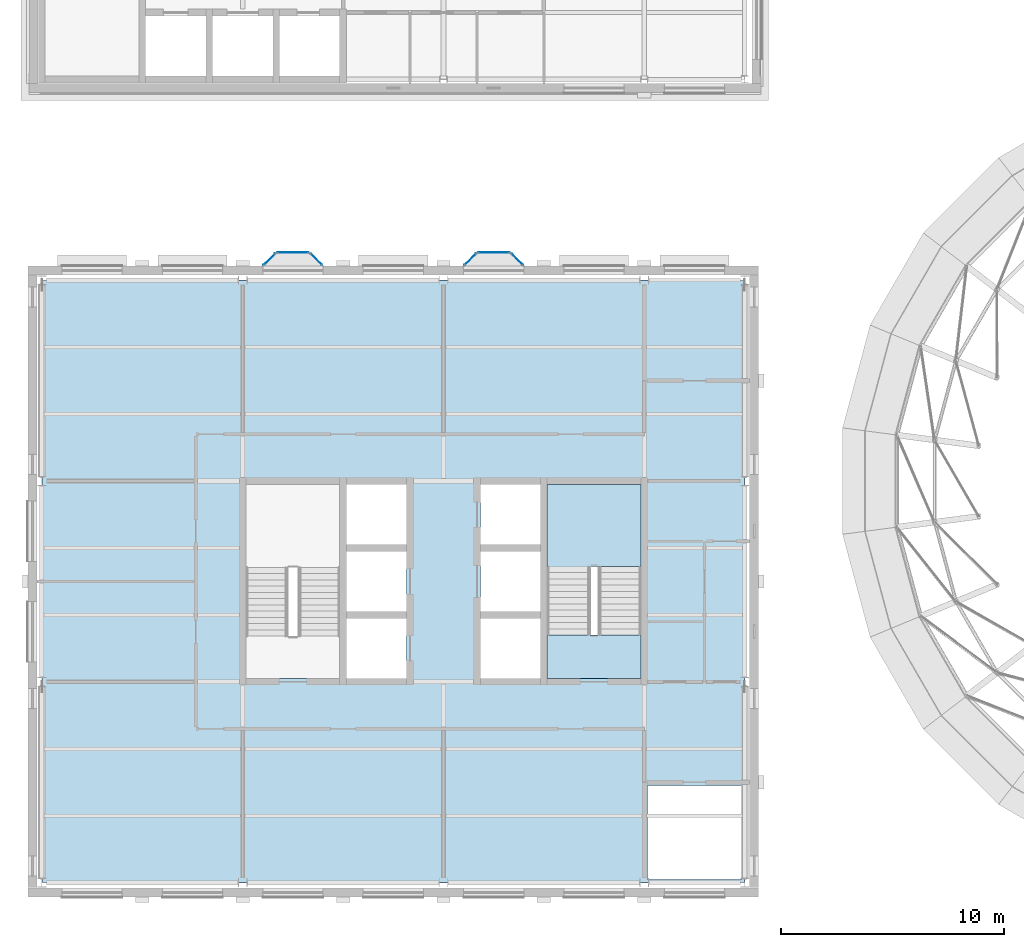
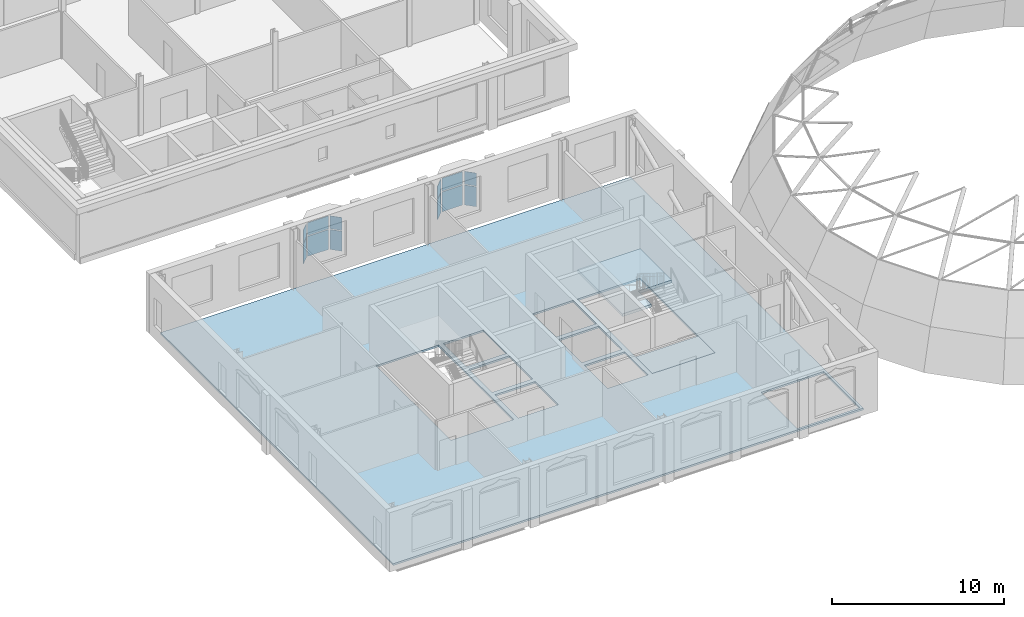
# One storey, part 27 of 62: 12 plates, 3 slabs, 7 elements without a shape of their own.
"""IFC4 building model written with IfcOpenShell, lengths in metres."""

from ifc_helpers import new_model, si_unit, direction, frame, origin, origin_2d, place, context, subcontext, project, spatial, polyline, rectangle, outline, extrude, material, layer, layer_set, type_object, element, aggregate, save


model = new_model("IFC4")

# Units and contexts
model_context = context("Model", 3, precision=1e-05, world=origin(), true_north=direction((0.0, 1.0)))
body_context = subcontext(model_context, "Body", "Model", "MODEL_VIEW")
ifc_project = project(units=[si_unit("LENGTHUNIT", "METRE"), si_unit("AREAUNIT", "SQUARE_METRE"), si_unit("VOLUMEUNIT", "CUBIC_METRE"), si_unit("PLANEANGLEUNIT", "RADIAN"), si_unit("MASSUNIT", "GRAM", prefix="KILO")], contexts=[model_context])

# Site, building, storey
site_placement = place(None, origin())
site = spatial("IfcSite", under=ifc_project, at=site_placement, CompositionType="ELEMENT")
building_placement = place(site_placement, origin())
building = spatial("IfcBuilding", under=site, at=building_placement, Name="Hortulan Conservatory and Botanical Research Centre", CompositionType="ELEMENT")
storey_placement = place(building_placement, frame((0.0, 0.0, 15.0)))
storey = spatial("IfcBuildingStorey", under=building, at=storey_placement, Name="L03", CompositionType="ELEMENT", Elevation=15.0)

# Slab
ifc_material_1 = material(Name="Concrete N32 (32 MPa, AS 3600)", Category="concrete")
ifc_layer_1 = layer(ifc_material_1, 0.1298828125)
ifc_layer_set_1 = layer_set([ifc_layer_1], Name="Composite Floor Slab 130")
slab_type_1 = type_object("IfcSlabType", Name="Composite Floor Slab 130", PredefinedType="FLOOR", material=ifc_layer_set_1)
slab_1_placement = place(storey_placement, frame((0.0, 0.0, -0.1298828125)))
element("IfcSlab", 1, at=slab_1_placement, inside=storey, type_object=slab_type_1, Name="Floor slab", PredefinedType="FLOOR", context=body_context, shape_type="SweptSolid", body=[
    extrude(outline(polyline([(0.0, 0.0), (31.5, 0.0), (31.5, 27.0), (0.0, 27.0), (0.0, 0.0)]), holes=[polyline([(27.14990234375, 4.35009765625), (27.14990234375, 0.14990234375), (31.35009765625, 0.14990234375), (31.35009765625, 4.35009765625), (27.14990234375, 4.35009765625)]), polyline([(13.64990234375, 11.85009765625), (13.64990234375, 9.14990234375), (16.35009765625, 9.14990234375), (16.35009765625, 11.85009765625), (13.64990234375, 11.85009765625)]), polyline([(19.64990234375, 11.85009765625), (19.64990234375, 9.14990234375), (22.35009765625, 9.14990234375), (22.35009765625, 11.85009765625), (19.64990234375, 11.85009765625)]), polyline([(9.14990234375, 17.85009765625), (9.14990234375, 9.14990234375), (13.35009765625, 9.14990234375), (13.35009765625, 17.85009765625), (9.14990234375, 17.85009765625)]), polyline([(13.64990234375, 14.85009765625), (13.64990234375, 12.14990234375), (16.35009765625, 12.14990234375), (16.35009765625, 14.85009765625), (13.64990234375, 14.85009765625)]), polyline([(19.64990234375, 14.85009765625), (19.64990234375, 12.14990234375), (22.35009765625, 12.14990234375), (22.35009765625, 14.85009765625), (19.64990234375, 14.85009765625)]), polyline([(22.64990234375, 17.85009765625), (22.64990234375, 9.14990234375), (26.85009765625, 9.14990234375), (26.85009765625, 17.85009765625), (22.64990234375, 17.85009765625)]), polyline([(16.35009765625, 17.85009765625), (13.64990234375, 17.85009765625), (13.64990234375, 15.14990234375), (16.35009765625, 15.14990234375), (16.35009765625, 17.85009765625)]), polyline([(22.35009765625, 17.85009765625), (19.64990234375, 17.85009765625), (19.64990234375, 15.14990234375), (22.35009765625, 15.14990234375), (22.35009765625, 17.85009765625)])]), origin(), (0.0, 0.0, 1.0), 0.1298828125),
])

# Curtain wall, plates
ifc_material_2 = material(Name="Bronze-finished aluminium", Category="aluminium")
ifc_layer_2 = layer(ifc_material_2, 0.10009765625)
ifc_layer_set_2 = layer_set([ifc_layer_2], Name="Oriel Curtain Wall 1350 module")
curtain_wall_type = type_object("IfcCurtainWallType", Name="Oriel Curtain Wall 1350 module", PredefinedType="NOTDEFINED", material=ifc_layer_set_2)
curtain_wall_1_placement = place(storey_placement, origin())
curtain_wall_1 = element("IfcCurtainWall", 2, at=curtain_wall_1_placement, inside=storey, type_object=curtain_wall_type, Name="Oriel glazing", PredefinedType="NOTDEFINED")
ifc_material_3 = material(Name="Low-e laminated glass", Category="glass")
ifc_layer_3 = layer(ifc_material_3, 0.028076171875)
ifc_layer_set_3 = layer_set([ifc_layer_3], Name="Laminated Glass Panel 28")
plate_type = type_object("IfcPlateType", Name="Laminated Glass Panel 28", PredefinedType="CURTAIN_PANEL", material=ifc_layer_set_3)
plate_1_placement = place(storey_placement, frame((10.199951171875, 27.93603515625, 0.9599609375), z_axis=(0.0, 0.0, 1.0), x_axis=(0.707106781187, 0.707106781187, 0.0)))
plate_1 = element("IfcPlate", 3, at=plate_1_placement, type_object=plate_type, Name="CW2 panel 1.1", PredefinedType="CURTAIN_PANEL", context=body_context, shape_type="SweptSolid", body=[
    extrude(rectangle(XDim=0.728515625, YDim=0.028076171875, at=origin_2d()), origin(), (0.0, 0.0, 1.0), 1.409912109375),
])
plate_2_placement = place(storey_placement, frame((10.199951171875, 27.93603515625, 2.43017578125), z_axis=(0.0, 0.0, 1.0), x_axis=(0.707106781187, 0.707106781187, 0.0)))
plate_2 = element("IfcPlate", 4, at=plate_2_placement, type_object=plate_type, Name="CW2 panel 1.2", PredefinedType="CURTAIN_PANEL", context=body_context, shape_type="SweptSolid", body=[
    extrude(rectangle(XDim=0.728515625, YDim=0.028076171875, at=origin_2d()), origin(), (0.0, 0.0, 1.0), 0.909912109375),
])
aggregate(curtain_wall_1, [plate_1, plate_2])

curtain_wall_2_placement = place(storey_placement, origin())
curtain_wall_2 = element("IfcCurtainWall", 5, at=curtain_wall_2_placement, inside=storey, type_object=curtain_wall_type, Name="Oriel glazing", PredefinedType="NOTDEFINED")
plate_3_placement = place(storey_placement, frame((11.25, 28.236083984375, 0.9599609375), z_axis=(0.0, 0.0, 1.0), x_axis=(1.0, 0.0, 0.0)))
plate_3 = element("IfcPlate", 6, at=plate_3_placement, type_object=plate_type, Name="CW2 panel 1.1", PredefinedType="CURTAIN_PANEL", context=body_context, shape_type="SweptSolid", body=[
    extrude(rectangle(XDim=1.3798828125, YDim=0.028076171875, at=origin_2d()), origin(), (0.0, 0.0, 1.0), 1.409912109375),
])
plate_4_placement = place(storey_placement, frame((11.25, 28.236083984375, 2.43017578125), z_axis=(0.0, 0.0, 1.0), x_axis=(1.0, 0.0, 0.0)))
plate_4 = element("IfcPlate", 7, at=plate_4_placement, type_object=plate_type, Name="CW2 panel 1.2", PredefinedType="CURTAIN_PANEL", context=body_context, shape_type="SweptSolid", body=[
    extrude(rectangle(XDim=1.3798828125, YDim=0.028076171875, at=origin_2d()), origin(), (0.0, 0.0, 1.0), 0.909912109375),
])
aggregate(curtain_wall_2, [plate_3, plate_4])

curtain_wall_3_placement = place(storey_placement, origin())
curtain_wall_3 = element("IfcCurtainWall", 8, at=curtain_wall_3_placement, inside=storey, type_object=curtain_wall_type, Name="Oriel glazing", PredefinedType="NOTDEFINED")
plate_5_placement = place(storey_placement, frame((12.300048828125, 27.93603515625, 0.9599609375), z_axis=(0.0, 0.0, 1.0), x_axis=(0.707106781187, -0.707106781187, 0.0)))
plate_5 = element("IfcPlate", 9, at=plate_5_placement, type_object=plate_type, Name="CW2 panel 1.1", PredefinedType="CURTAIN_PANEL", context=body_context, shape_type="SweptSolid", body=[
    extrude(rectangle(XDim=0.728515625, YDim=0.028076171875, at=origin_2d()), origin(), (0.0, 0.0, 1.0), 1.409912109375),
])
plate_6_placement = place(storey_placement, frame((12.300048828125, 27.93603515625, 2.43017578125), z_axis=(0.0, 0.0, 1.0), x_axis=(0.707106781187, -0.707106781187, 0.0)))
plate_6 = element("IfcPlate", 10, at=plate_6_placement, type_object=plate_type, Name="CW2 panel 1.2", PredefinedType="CURTAIN_PANEL", context=body_context, shape_type="SweptSolid", body=[
    extrude(rectangle(XDim=0.728515625, YDim=0.028076171875, at=origin_2d()), origin(), (0.0, 0.0, 1.0), 0.909912109375),
])
aggregate(curtain_wall_3, [plate_5, plate_6])

curtain_wall_4_placement = place(storey_placement, origin())
curtain_wall_4 = element("IfcCurtainWall", 11, at=curtain_wall_4_placement, inside=storey, type_object=curtain_wall_type, Name="Oriel glazing", PredefinedType="NOTDEFINED")
plate_7_placement = place(storey_placement, frame((19.199951171875, 27.93603515625, 0.9599609375), z_axis=(0.0, 0.0, 1.0), x_axis=(0.707106781187, 0.707106781187, 0.0)))
plate_7 = element("IfcPlate", 12, at=plate_7_placement, type_object=plate_type, Name="CW2 panel 1.1", PredefinedType="CURTAIN_PANEL", context=body_context, shape_type="SweptSolid", body=[
    extrude(rectangle(XDim=0.728515625, YDim=0.028076171875, at=origin_2d()), origin(), (0.0, 0.0, 1.0), 1.409912109375),
])
plate_8_placement = place(storey_placement, frame((19.199951171875, 27.93603515625, 2.43017578125), z_axis=(0.0, 0.0, 1.0), x_axis=(0.707106781187, 0.707106781187, 0.0)))
plate_8 = element("IfcPlate", 13, at=plate_8_placement, type_object=plate_type, Name="CW2 panel 1.2", PredefinedType="CURTAIN_PANEL", context=body_context, shape_type="SweptSolid", body=[
    extrude(rectangle(XDim=0.728515625, YDim=0.028076171875, at=origin_2d()), origin(), (0.0, 0.0, 1.0), 0.909912109375),
])
aggregate(curtain_wall_4, [plate_7, plate_8])

curtain_wall_5_placement = place(storey_placement, origin())
curtain_wall_5 = element("IfcCurtainWall", 14, at=curtain_wall_5_placement, inside=storey, type_object=curtain_wall_type, Name="Oriel glazing", PredefinedType="NOTDEFINED")
plate_9_placement = place(storey_placement, frame((20.25, 28.236083984375, 0.9599609375), z_axis=(0.0, 0.0, 1.0), x_axis=(1.0, 0.0, 0.0)))
plate_9 = element("IfcPlate", 15, at=plate_9_placement, type_object=plate_type, Name="CW2 panel 1.1", PredefinedType="CURTAIN_PANEL", context=body_context, shape_type="SweptSolid", body=[
    extrude(rectangle(XDim=1.3798828125, YDim=0.028076171875, at=origin_2d()), origin(), (0.0, 0.0, 1.0), 1.409912109375),
])
plate_10_placement = place(storey_placement, frame((20.25, 28.236083984375, 2.43017578125), z_axis=(0.0, 0.0, 1.0), x_axis=(1.0, 0.0, 0.0)))
plate_10 = element("IfcPlate", 16, at=plate_10_placement, type_object=plate_type, Name="CW2 panel 1.2", PredefinedType="CURTAIN_PANEL", context=body_context, shape_type="SweptSolid", body=[
    extrude(rectangle(XDim=1.3798828125, YDim=0.028076171875, at=origin_2d()), origin(), (0.0, 0.0, 1.0), 0.909912109375),
])
aggregate(curtain_wall_5, [plate_9, plate_10])

curtain_wall_6_placement = place(storey_placement, origin())
curtain_wall_6 = element("IfcCurtainWall", 17, at=curtain_wall_6_placement, inside=storey, type_object=curtain_wall_type, Name="Oriel glazing", PredefinedType="NOTDEFINED")
plate_11_placement = place(storey_placement, frame((21.300048828125, 27.93603515625, 0.9599609375), z_axis=(0.0, 0.0, 1.0), x_axis=(0.707106781187, -0.707106781187, 0.0)))
plate_11 = element("IfcPlate", 18, at=plate_11_placement, type_object=plate_type, Name="CW2 panel 1.1", PredefinedType="CURTAIN_PANEL", context=body_context, shape_type="SweptSolid", body=[
    extrude(rectangle(XDim=0.728515625, YDim=0.028076171875, at=origin_2d()), origin(), (0.0, 0.0, 1.0), 1.409912109375),
])
plate_12_placement = place(storey_placement, frame((21.300048828125, 27.93603515625, 2.43017578125), z_axis=(0.0, 0.0, 1.0), x_axis=(0.707106781187, -0.707106781187, 0.0)))
plate_12 = element("IfcPlate", 19, at=plate_12_placement, type_object=plate_type, Name="CW2 panel 1.2", PredefinedType="CURTAIN_PANEL", context=body_context, shape_type="SweptSolid", body=[
    extrude(rectangle(XDim=0.728515625, YDim=0.028076171875, at=origin_2d()), origin(), (0.0, 0.0, 1.0), 0.909912109375),
])
aggregate(curtain_wall_6, [plate_11, plate_12])

# Stair, slab
ifc_material_4 = material(Name="Concrete N40 (40 MPa, AS 3600)", Category="concrete")
stair_type = type_object("IfcStairType", Name="Concrete Escape Stair 1950", PredefinedType="HALF_TURN_STAIR", material=ifc_material_4)
stair_placement = place(storey_placement, origin())
stair = element("IfcStair", 20, at=stair_placement, inside=storey, type_object=stair_type, Name="Stair T2 L03", PredefinedType="HALF_TURN_STAIR")
ifc_layer_4 = layer(ifc_material_4, 0.199951171875)
ifc_layer_set_4 = layer_set([ifc_layer_4], Name="Stair Landing 200")
slab_type_2 = type_object("IfcSlabType", Name="Stair Landing 200", PredefinedType="LANDING", material=ifc_layer_set_4)
slab_2_placement = place(storey_placement, frame((0.0, 0.0, 1.89990234375)))
slab_2 = element("IfcSlab", 21, at=slab_2_placement, type_object=slab_type_2, Name="Stair T2 L03 half landing 1", PredefinedType="LANDING", context=body_context, shape_type="SweptSolid", body=[
    extrude(outline(polyline([(26.85009765625, 14.179443359375), (24.60009765625, 14.179443359375), (24.60009765625, 12.639892578125), (22.64990234375, 12.639892578125), (22.64990234375, 14.179443359375), (22.64990234375, 14.179931640625), (22.64990234375, 14.18994140625), (22.64990234375, 17.85009765625), (26.85009765625, 17.85009765625), (26.85009765625, 14.18994140625), (26.85009765625, 14.179931640625), (26.85009765625, 14.179443359375)])), origin(), (0.0, 0.0, 1.0), 0.2001953125),
])
aggregate(stair, [slab_2])

# Slab
slab_3_placement = place(storey_placement, frame((0.0, 0.0, -0.199951171875)))
element("IfcSlab", 22, at=slab_3_placement, inside=storey, type_object=slab_type_2, Name="Stair T2 floor landing L03", PredefinedType="LANDING", context=body_context, shape_type="SweptSolid", body=[
    extrude(outline(polyline([(26.85009765625, 9.14990234375), (22.64990234375, 9.14990234375), (22.64990234375, 11.10009765625), (26.85009765625, 11.10009765625), (26.85009765625, 9.14990234375)])), origin(), (0.0, 0.0, 1.0), 0.199951171875),
])

save(model, "model.ifc")
